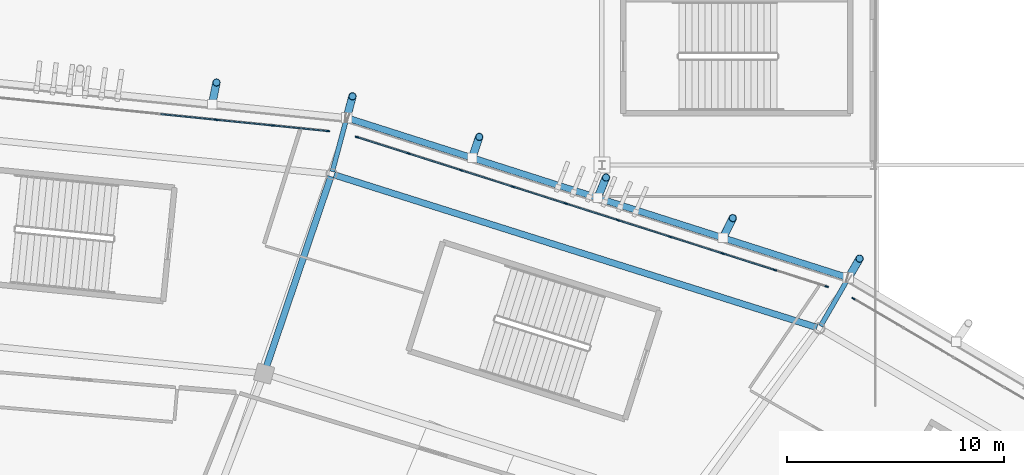
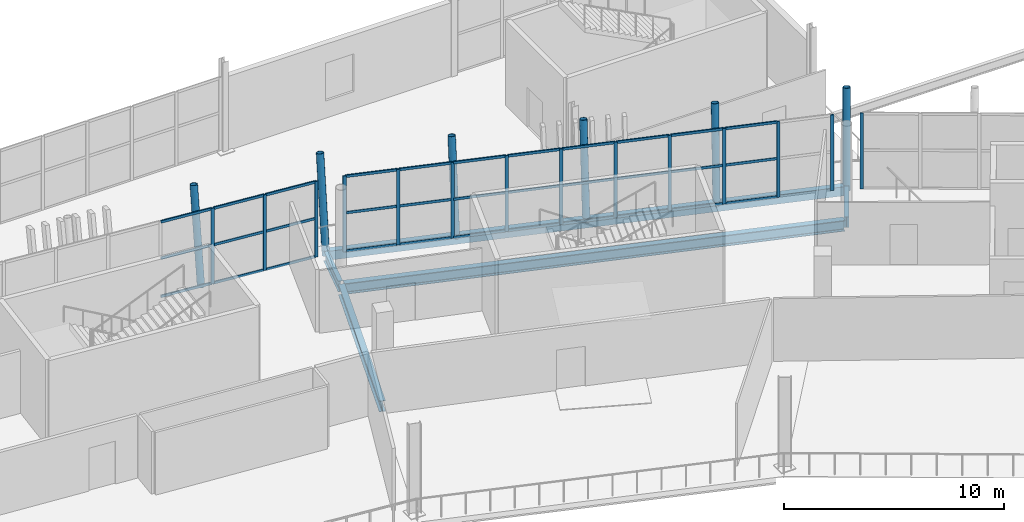
# One storey, part 83 of 179: 53 members, 5 beams, 3 elements without a shape of their own.
"""IFC4 building model written with IfcOpenShell, lengths in metres."""

from ifc_helpers import new_model, si_unit, direction, frame, origin, origin_2d, place, context, subcontext, project, spatial, rectangle, hollow_rectangle, hollow_circle, i_section, extrude, material, material_profile, profile_set, type_object, element, aggregate, save


model = new_model("IFC4")

# Units and contexts
model_context = context("Model", 3, precision=1e-05, world=origin(), true_north=direction((0.0, 1.0)))
body_context = subcontext(model_context, "Body", "Model", "MODEL_VIEW")
ifc_project = project(units=[si_unit("LENGTHUNIT", "METRE"), si_unit("AREAUNIT", "SQUARE_METRE"), si_unit("VOLUMEUNIT", "CUBIC_METRE"), si_unit("PLANEANGLEUNIT", "RADIAN"), si_unit("MASSUNIT", "GRAM", prefix="KILO")], contexts=[model_context])

# Site, building, storey
site_placement = place(None, origin())
site = spatial("IfcSite", under=ifc_project, at=site_placement, CompositionType="ELEMENT")
building_placement = place(site_placement, origin())
building = spatial("IfcBuilding", under=site, at=building_placement, Name="Zlatoyarsky Gate Stadium", CompositionType="ELEMENT")
storey_placement = place(building_placement, frame((0.0, 0.0, 10.60009765625)))
storey = spatial("IfcBuildingStorey", under=building, at=storey_placement, Name="L02", CompositionType="ELEMENT", Elevation=10.60009765625)

# Curtain wall, member
ifc_material_1 = material(Name="Thermally broken anodised aluminium curtain wall", Category="aluminium")
curtain_wall_type = type_object("IfcCurtainWallType", Name="UNITISED HOSPITALITY GLAZING L02", PredefinedType="USERDEFINED", material=ifc_material_1)
curtain_wall_1_placement = place(storey_placement, origin())
curtain_wall_1 = element("IfcCurtainWall", 1, at=curtain_wall_1_placement, inside=storey, type_object=curtain_wall_type, Name="Curtain wall CW-L02-03", ObjectType="UNITISED GLAZING", PredefinedType="USERDEFINED")
ifc_material_2 = material(Name="Anodised aluminium 6063-T6", Category="aluminium")
ifc_material_profile_1 = material_profile(ifc_material_2, rectangle(XDim=0.06494140625, YDim=0.159912109375, at=origin_2d()), Name="ALU 65X160")
ifc_profile_set_1 = profile_set([ifc_material_profile_1], Name="Anodised aluminium 6063-T6")
member_type_1 = type_object("IfcMemberType", Name="ALUMINIUM MULLION 65X160", PredefinedType="MULLION", material=ifc_profile_set_1)
member_1_placement = place(storey_placement, frame((159.075927734375, 142.852294921875, 0.0), z_axis=(0.0, 0.0, 1.0), x_axis=(-0.507884392586, -0.861425239802, 0.0)))
member_1 = element("IfcMember", 2, at=member_1_placement, type_object=member_type_1, Name="CW-UG2 mullion 9", PredefinedType="MULLION", context=body_context, shape_type="SweptSolid", body=[
    extrude(rectangle(XDim=0.06494140625, YDim=0.159912109375, at=origin_2d()), origin(), (0.0, 0.0, 1.0), 4.199951171875),
])
aggregate(curtain_wall_1, [member_1])

# Curtain wall, members
curtain_wall_2_placement = place(storey_placement, origin())
curtain_wall_2 = element("IfcCurtainWall", 3, at=curtain_wall_2_placement, inside=storey, type_object=curtain_wall_type, Name="Curtain wall CW-L02-04", ObjectType="UNITISED GLAZING", PredefinedType="USERDEFINED")
member_2_placement = place(storey_placement, frame((157.837646484375, 143.406005859375, 0.0), z_axis=(0.0, 0.0, 1.0), x_axis=(-0.303278080998, -0.952902096538, 0.0)))
member_2 = element("IfcMember", 4, at=member_2_placement, type_object=member_type_1, Name="CW-UG2 mullion 1", PredefinedType="MULLION", context=body_context, shape_type="SweptSolid", body=[
    extrude(rectangle(XDim=0.06494140625, YDim=0.159912109375, at=origin_2d()), origin(), (0.0, 0.0, 1.0), 4.199951171875),
])
member_3_placement = place(storey_placement, frame((155.461181640625, 144.162353515625, 0.0), z_axis=(0.0, 0.0, 1.0), x_axis=(-0.303278080998, -0.952902096538, 0.0)))
member_3 = element("IfcMember", 5, at=member_3_placement, type_object=member_type_1, Name="CW-UG2 mullion 2", PredefinedType="MULLION", context=body_context, shape_type="SweptSolid", body=[
    extrude(rectangle(XDim=0.06494140625, YDim=0.159912109375, at=origin_2d()), origin(), (0.0, 0.0, 1.0), 4.199951171875),
])
member_4_placement = place(storey_placement, frame((153.053466796875, 144.928466796875, 0.0), z_axis=(0.0, 0.0, 1.0), x_axis=(-0.303278080998, -0.952902096538, 0.0)))
member_4 = element("IfcMember", 6, at=member_4_placement, type_object=member_type_1, Name="CW-UG2 mullion 3", PredefinedType="MULLION", context=body_context, shape_type="SweptSolid", body=[
    extrude(rectangle(XDim=0.06494140625, YDim=0.159912109375, at=origin_2d()), origin(), (0.0, 0.0, 1.0), 4.199951171875),
])
member_5_placement = place(storey_placement, frame((150.64599609375, 145.69482421875, 0.0), z_axis=(0.0, 0.0, 1.0), x_axis=(-0.303278080998, -0.952902096538, 0.0)))
member_5 = element("IfcMember", 7, at=member_5_placement, type_object=member_type_1, Name="CW-UG2 mullion 4", PredefinedType="MULLION", context=body_context, shape_type="SweptSolid", body=[
    extrude(rectangle(XDim=0.06494140625, YDim=0.159912109375, at=origin_2d()), origin(), (0.0, 0.0, 1.0), 4.199951171875),
])
member_6_placement = place(storey_placement, frame((148.238525390625, 146.4609375, 0.0), z_axis=(0.0, 0.0, 1.0), x_axis=(-0.303278080998, -0.952902096538, 0.0)))
member_6 = element("IfcMember", 8, at=member_6_placement, type_object=member_type_1, Name="CW-UG2 mullion 5", PredefinedType="MULLION", context=body_context, shape_type="SweptSolid", body=[
    extrude(rectangle(XDim=0.06494140625, YDim=0.159912109375, at=origin_2d()), origin(), (0.0, 0.0, 1.0), 4.199951171875),
])
member_7_placement = place(storey_placement, frame((145.8310546875, 147.227294921875, 0.0), z_axis=(0.0, 0.0, 1.0), x_axis=(-0.303278080998, -0.952902096538, 0.0)))
member_7 = element("IfcMember", 9, at=member_7_placement, type_object=member_type_1, Name="CW-UG2 mullion 6", PredefinedType="MULLION", context=body_context, shape_type="SweptSolid", body=[
    extrude(rectangle(XDim=0.06494140625, YDim=0.159912109375, at=origin_2d()), origin(), (0.0, 0.0, 1.0), 4.199951171875),
])
member_8_placement = place(storey_placement, frame((143.423583984375, 147.993408203125, 0.0), z_axis=(0.0, 0.0, 1.0), x_axis=(-0.303278080998, -0.952902096538, 0.0)))
member_8 = element("IfcMember", 10, at=member_8_placement, type_object=member_type_1, Name="CW-UG2 mullion 7", PredefinedType="MULLION", context=body_context, shape_type="SweptSolid", body=[
    extrude(rectangle(XDim=0.06494140625, YDim=0.159912109375, at=origin_2d()), origin(), (0.0, 0.0, 1.0), 4.199951171875),
])
member_9_placement = place(storey_placement, frame((141.01611328125, 148.759765625, 0.0), z_axis=(0.0, 0.0, 1.0), x_axis=(-0.303278080998, -0.952902096538, 0.0)))
member_9 = element("IfcMember", 11, at=member_9_placement, type_object=member_type_1, Name="CW-UG2 mullion 8", PredefinedType="MULLION", context=body_context, shape_type="SweptSolid", body=[
    extrude(rectangle(XDim=0.06494140625, YDim=0.159912109375, at=origin_2d()), origin(), (0.0, 0.0, 1.0), 4.199951171875),
])
member_10_placement = place(storey_placement, frame((138.6083984375, 149.52587890625, 0.0), z_axis=(0.0, 0.0, 1.0), x_axis=(-0.303278080998, -0.952902096538, 0.0)))
member_10 = element("IfcMember", 12, at=member_10_placement, type_object=member_type_1, Name="CW-UG2 mullion 9", PredefinedType="MULLION", context=body_context, shape_type="SweptSolid", body=[
    extrude(rectangle(XDim=0.06494140625, YDim=0.159912109375, at=origin_2d()), origin(), (0.0, 0.0, 1.0), 4.199951171875),
])
member_11_placement = place(storey_placement, frame((136.23193359375, 150.2822265625, 0.0), z_axis=(0.0, 0.0, 1.0), x_axis=(-0.303278080998, -0.952902096538, 0.0)))
member_11 = element("IfcMember", 13, at=member_11_placement, type_object=member_type_1, Name="CW-UG2 mullion 10", PredefinedType="MULLION", context=body_context, shape_type="SweptSolid", body=[
    extrude(rectangle(XDim=0.06494140625, YDim=0.159912109375, at=origin_2d()), origin(), (0.0, 0.0, 1.0), 4.199951171875),
])

curtain_wall_3_placement = place(storey_placement, origin())
curtain_wall_3 = element("IfcCurtainWall", 14, at=curtain_wall_3_placement, inside=storey, type_object=curtain_wall_type, Name="Curtain wall CW-L02-05", ObjectType="UNITISED GLAZING", PredefinedType="USERDEFINED")
member_12_placement = place(storey_placement, frame((134.902587890625, 150.557861328125, 0.0), z_axis=(0.0, 0.0, 1.0), x_axis=(-0.100644885375, -0.994922412577, 0.0)))
member_12 = element("IfcMember", 15, at=member_12_placement, type_object=member_type_1, Name="CW-UG2 mullion 1", PredefinedType="MULLION", context=body_context, shape_type="SweptSolid", body=[
    extrude(rectangle(XDim=0.06494140625, YDim=0.159912109375, at=origin_2d()), origin(), (0.0, 0.0, 1.0), 4.199951171875),
])
member_13_placement = place(storey_placement, frame((132.347412109375, 150.81640625, 0.0), z_axis=(0.0, 0.0, 1.0), x_axis=(-0.100644885375, -0.994922412577, 0.0)))
member_13 = element("IfcMember", 16, at=member_13_placement, type_object=member_type_1, Name="CW-UG2 mullion 2", PredefinedType="MULLION", context=body_context, shape_type="SweptSolid", body=[
    extrude(rectangle(XDim=0.06494140625, YDim=0.159912109375, at=origin_2d()), origin(), (0.0, 0.0, 1.0), 4.199951171875),
])
member_14_placement = place(storey_placement, frame((129.759765625, 151.078125, 0.0), z_axis=(0.0, 0.0, 1.0), x_axis=(-0.100644885375, -0.994922412577, 0.0)))
member_14 = element("IfcMember", 17, at=member_14_placement, type_object=member_type_1, Name="CW-UG2 mullion 3", PredefinedType="MULLION", context=body_context, shape_type="SweptSolid", body=[
    extrude(rectangle(XDim=0.06494140625, YDim=0.159912109375, at=origin_2d()), origin(), (0.0, 0.0, 1.0), 4.199951171875),
])

# Member
ifc_material_profile_2 = material_profile(ifc_material_2, rectangle(XDim=0.06494140625, YDim=0.139892578125, at=origin_2d()), Name="ALU 65X140")
ifc_profile_set_2 = profile_set([ifc_material_profile_2], Name="Anodised aluminium 6063-T6")
member_type_2 = type_object("IfcMemberType", Name="ALUMINIUM TRANSOM 65X140", PredefinedType="USERDEFINED", material=ifc_profile_set_2)
member_15_placement = place(storey_placement, frame((155.43017578125, 144.172119140625, 0.032470703125), z_axis=(-0.952899726058, 0.303285528964, 0.0), x_axis=(-0.303285528964, -0.952899726058, 0.0)))
member_15 = element("IfcMember", 18, at=member_15_placement, type_object=member_type_2, Name="CW-UG2 transom 2.1", ObjectType="TRANSOM", PredefinedType="USERDEFINED", context=body_context, shape_type="SweptSolid", body=[
    extrude(rectangle(XDim=0.06494140625, YDim=0.139892578125, at=origin_2d()), origin(), (0.0, 0.0, 1.0), 2.461669921875),
])

member_16_placement = place(storey_placement, frame((155.43017578125, 144.172119140625, 2.14990234375), z_axis=(-0.952899726058, 0.303285528964, 0.0), x_axis=(-0.303285528964, -0.952899726058, 0.0)))
member_16 = element("IfcMember", 19, at=member_16_placement, type_object=member_type_2, Name="CW-UG2 transom 2.2", ObjectType="TRANSOM", PredefinedType="USERDEFINED", context=body_context, shape_type="SweptSolid", body=[
    extrude(rectangle(XDim=0.06494140625, YDim=0.139892578125, at=origin_2d()), origin(), (0.0, 0.0, 1.0), 2.461669921875),
])

member_17_placement = place(storey_placement, frame((155.43017578125, 144.172119140625, 4.16748046875), z_axis=(-0.952899726058, 0.303285528964, 0.0), x_axis=(-0.303285528964, -0.952899726058, 0.0)))
member_17 = element("IfcMember", 20, at=member_17_placement, type_object=member_type_2, Name="CW-UG2 transom 2.3", ObjectType="TRANSOM", PredefinedType="USERDEFINED", context=body_context, shape_type="SweptSolid", body=[
    extrude(rectangle(XDim=0.06494140625, YDim=0.139892578125, at=origin_2d()), origin(), (0.0, 0.0, 1.0), 2.461669921875),
])

member_18_placement = place(storey_placement, frame((153.022705078125, 144.9384765625, 0.032470703125), z_axis=(-0.952899726058, 0.303285528964, 0.0), x_axis=(-0.303285528964, -0.952899726058, 0.0)))
member_18 = element("IfcMember", 21, at=member_18_placement, type_object=member_type_2, Name="CW-UG2 transom 3.1", ObjectType="TRANSOM", PredefinedType="USERDEFINED", context=body_context, shape_type="SweptSolid", body=[
    extrude(rectangle(XDim=0.06494140625, YDim=0.139892578125, at=origin_2d()), origin(), (0.0, 0.0, 1.0), 2.461669921875),
])

member_19_placement = place(storey_placement, frame((153.022705078125, 144.9384765625, 2.14990234375), z_axis=(-0.952899726058, 0.303285528964, 0.0), x_axis=(-0.303285528964, -0.952899726058, 0.0)))
member_19 = element("IfcMember", 22, at=member_19_placement, type_object=member_type_2, Name="CW-UG2 transom 3.2", ObjectType="TRANSOM", PredefinedType="USERDEFINED", context=body_context, shape_type="SweptSolid", body=[
    extrude(rectangle(XDim=0.06494140625, YDim=0.139892578125, at=origin_2d()), origin(), (0.0, 0.0, 1.0), 2.461669921875),
])

member_20_placement = place(storey_placement, frame((153.022705078125, 144.9384765625, 4.16748046875), z_axis=(-0.952899726058, 0.303285528964, 0.0), x_axis=(-0.303285528964, -0.952899726058, 0.0)))
member_20 = element("IfcMember", 23, at=member_20_placement, type_object=member_type_2, Name="CW-UG2 transom 3.3", ObjectType="TRANSOM", PredefinedType="USERDEFINED", context=body_context, shape_type="SweptSolid", body=[
    extrude(rectangle(XDim=0.06494140625, YDim=0.139892578125, at=origin_2d()), origin(), (0.0, 0.0, 1.0), 2.461669921875),
])

member_21_placement = place(storey_placement, frame((150.614990234375, 145.70458984375, 0.032470703125), z_axis=(-0.952890602186, 0.303314193972, 0.0), x_axis=(-0.303314193972, -0.952890602186, 0.0)))
member_21 = element("IfcMember", 24, at=member_21_placement, type_object=member_type_2, Name="CW-UG2 transom 4.1", ObjectType="TRANSOM", PredefinedType="USERDEFINED", context=body_context, shape_type="SweptSolid", body=[
    extrude(rectangle(XDim=0.06494140625, YDim=0.139892578125, at=origin_2d()), origin(), (0.0, 0.0, 1.0), 2.46142578125),
])

member_22_placement = place(storey_placement, frame((150.614990234375, 145.70458984375, 2.14990234375), z_axis=(-0.952890602186, 0.303314193972, 0.0), x_axis=(-0.303314193972, -0.952890602186, 0.0)))
member_22 = element("IfcMember", 25, at=member_22_placement, type_object=member_type_2, Name="CW-UG2 transom 4.2", ObjectType="TRANSOM", PredefinedType="USERDEFINED", context=body_context, shape_type="SweptSolid", body=[
    extrude(rectangle(XDim=0.06494140625, YDim=0.139892578125, at=origin_2d()), origin(), (0.0, 0.0, 1.0), 2.46142578125),
])

member_23_placement = place(storey_placement, frame((150.614990234375, 145.70458984375, 4.16748046875), z_axis=(-0.952890602186, 0.303314193972, 0.0), x_axis=(-0.303314193972, -0.952890602186, 0.0)))
member_23 = element("IfcMember", 26, at=member_23_placement, type_object=member_type_2, Name="CW-UG2 transom 4.3", ObjectType="TRANSOM", PredefinedType="USERDEFINED", context=body_context, shape_type="SweptSolid", body=[
    extrude(rectangle(XDim=0.06494140625, YDim=0.139892578125, at=origin_2d()), origin(), (0.0, 0.0, 1.0), 2.46142578125),
])

member_24_placement = place(storey_placement, frame((148.20751953125, 146.470947265625, 0.032470703125), z_axis=(-0.952890602186, 0.303314193972, 0.0), x_axis=(-0.303314193972, -0.952890602186, 0.0)))
member_24 = element("IfcMember", 27, at=member_24_placement, type_object=member_type_2, Name="CW-UG2 transom 5.1", ObjectType="TRANSOM", PredefinedType="USERDEFINED", context=body_context, shape_type="SweptSolid", body=[
    extrude(rectangle(XDim=0.06494140625, YDim=0.139892578125, at=origin_2d()), origin(), (0.0, 0.0, 1.0), 2.46142578125),
])

member_25_placement = place(storey_placement, frame((148.20751953125, 146.470947265625, 2.14990234375), z_axis=(-0.952890602186, 0.303314193972, 0.0), x_axis=(-0.303314193972, -0.952890602186, 0.0)))
member_25 = element("IfcMember", 28, at=member_25_placement, type_object=member_type_2, Name="CW-UG2 transom 5.2", ObjectType="TRANSOM", PredefinedType="USERDEFINED", context=body_context, shape_type="SweptSolid", body=[
    extrude(rectangle(XDim=0.06494140625, YDim=0.139892578125, at=origin_2d()), origin(), (0.0, 0.0, 1.0), 2.46142578125),
])

member_26_placement = place(storey_placement, frame((148.20751953125, 146.470947265625, 4.16748046875), z_axis=(-0.952890602186, 0.303314193972, 0.0), x_axis=(-0.303314193972, -0.952890602186, 0.0)))
member_26 = element("IfcMember", 29, at=member_26_placement, type_object=member_type_2, Name="CW-UG2 transom 5.3", ObjectType="TRANSOM", PredefinedType="USERDEFINED", context=body_context, shape_type="SweptSolid", body=[
    extrude(rectangle(XDim=0.06494140625, YDim=0.139892578125, at=origin_2d()), origin(), (0.0, 0.0, 1.0), 2.46142578125),
])

member_27_placement = place(storey_placement, frame((145.800048828125, 147.237060546875, 0.032470703125), z_axis=(-0.952890602186, 0.303314193972, 0.0), x_axis=(-0.303314193972, -0.952890602186, 0.0)))
member_27 = element("IfcMember", 30, at=member_27_placement, type_object=member_type_2, Name="CW-UG2 transom 6.1", ObjectType="TRANSOM", PredefinedType="USERDEFINED", context=body_context, shape_type="SweptSolid", body=[
    extrude(rectangle(XDim=0.06494140625, YDim=0.139892578125, at=origin_2d()), origin(), (0.0, 0.0, 1.0), 2.46142578125),
])

member_28_placement = place(storey_placement, frame((145.800048828125, 147.237060546875, 2.14990234375), z_axis=(-0.952890602186, 0.303314193972, 0.0), x_axis=(-0.303314193972, -0.952890602186, 0.0)))
member_28 = element("IfcMember", 31, at=member_28_placement, type_object=member_type_2, Name="CW-UG2 transom 6.2", ObjectType="TRANSOM", PredefinedType="USERDEFINED", context=body_context, shape_type="SweptSolid", body=[
    extrude(rectangle(XDim=0.06494140625, YDim=0.139892578125, at=origin_2d()), origin(), (0.0, 0.0, 1.0), 2.46142578125),
])

member_29_placement = place(storey_placement, frame((145.800048828125, 147.237060546875, 4.16748046875), z_axis=(-0.952890602186, 0.303314193972, 0.0), x_axis=(-0.303314193972, -0.952890602186, 0.0)))
member_29 = element("IfcMember", 32, at=member_29_placement, type_object=member_type_2, Name="CW-UG2 transom 6.3", ObjectType="TRANSOM", PredefinedType="USERDEFINED", context=body_context, shape_type="SweptSolid", body=[
    extrude(rectangle(XDim=0.06494140625, YDim=0.139892578125, at=origin_2d()), origin(), (0.0, 0.0, 1.0), 2.46142578125),
])

member_30_placement = place(storey_placement, frame((143.392578125, 148.00341796875, 0.032470703125), z_axis=(-0.9529283851, 0.303195469739, 0.0), x_axis=(-0.303195469739, -0.9529283851, 0.0)))
member_30 = element("IfcMember", 33, at=member_30_placement, type_object=member_type_2, Name="CW-UG2 transom 7.1", ObjectType="TRANSOM", PredefinedType="USERDEFINED", context=body_context, shape_type="SweptSolid", body=[
    extrude(rectangle(XDim=0.06494140625, YDim=0.139892578125, at=origin_2d()), origin(), (0.0, 0.0, 1.0), 2.461669921875),
])

member_31_placement = place(storey_placement, frame((143.392578125, 148.00341796875, 2.14990234375), z_axis=(-0.9529283851, 0.303195469739, 0.0), x_axis=(-0.303195469739, -0.9529283851, 0.0)))
member_31 = element("IfcMember", 34, at=member_31_placement, type_object=member_type_2, Name="CW-UG2 transom 7.2", ObjectType="TRANSOM", PredefinedType="USERDEFINED", context=body_context, shape_type="SweptSolid", body=[
    extrude(rectangle(XDim=0.06494140625, YDim=0.139892578125, at=origin_2d()), origin(), (0.0, 0.0, 1.0), 2.461669921875),
])

member_32_placement = place(storey_placement, frame((143.392578125, 148.00341796875, 4.16748046875), z_axis=(-0.9529283851, 0.303195469739, 0.0), x_axis=(-0.303195469739, -0.9529283851, 0.0)))
member_32 = element("IfcMember", 35, at=member_32_placement, type_object=member_type_2, Name="CW-UG2 transom 7.3", ObjectType="TRANSOM", PredefinedType="USERDEFINED", context=body_context, shape_type="SweptSolid", body=[
    extrude(rectangle(XDim=0.06494140625, YDim=0.139892578125, at=origin_2d()), origin(), (0.0, 0.0, 1.0), 2.461669921875),
])

member_33_placement = place(storey_placement, frame((140.985107421875, 148.76953125, 0.032470703125), z_axis=(-0.952899726058, 0.303285528964, 0.0), x_axis=(-0.303285528964, -0.952899726058, 0.0)))
member_33 = element("IfcMember", 36, at=member_33_placement, type_object=member_type_2, Name="CW-UG2 transom 8.1", ObjectType="TRANSOM", PredefinedType="USERDEFINED", context=body_context, shape_type="SweptSolid", body=[
    extrude(rectangle(XDim=0.06494140625, YDim=0.139892578125, at=origin_2d()), origin(), (0.0, 0.0, 1.0), 2.461669921875),
])

member_34_placement = place(storey_placement, frame((140.985107421875, 148.76953125, 2.14990234375), z_axis=(-0.952899726058, 0.303285528964, 0.0), x_axis=(-0.303285528964, -0.952899726058, 0.0)))
member_34 = element("IfcMember", 37, at=member_34_placement, type_object=member_type_2, Name="CW-UG2 transom 8.2", ObjectType="TRANSOM", PredefinedType="USERDEFINED", context=body_context, shape_type="SweptSolid", body=[
    extrude(rectangle(XDim=0.06494140625, YDim=0.139892578125, at=origin_2d()), origin(), (0.0, 0.0, 1.0), 2.461669921875),
])

member_35_placement = place(storey_placement, frame((140.985107421875, 148.76953125, 4.16748046875), z_axis=(-0.952899726058, 0.303285528964, 0.0), x_axis=(-0.303285528964, -0.952899726058, 0.0)))
member_35 = element("IfcMember", 38, at=member_35_placement, type_object=member_type_2, Name="CW-UG2 transom 8.3", ObjectType="TRANSOM", PredefinedType="USERDEFINED", context=body_context, shape_type="SweptSolid", body=[
    extrude(rectangle(XDim=0.06494140625, YDim=0.139892578125, at=origin_2d()), origin(), (0.0, 0.0, 1.0), 2.461669921875),
])

member_36_placement = place(storey_placement, frame((138.57763671875, 149.535888671875, 0.032470703125), z_axis=(-0.952916539621, 0.303232696977, 0.0), x_axis=(-0.303232696977, -0.952916539621, 0.0)))
member_36 = element("IfcMember", 39, at=member_36_placement, type_object=member_type_2, Name="CW-UG2 transom 9.1", ObjectType="TRANSOM", PredefinedType="USERDEFINED", context=body_context, shape_type="SweptSolid", body=[
    extrude(rectangle(XDim=0.06494140625, YDim=0.139892578125, at=origin_2d()), origin(), (0.0, 0.0, 1.0), 2.428955078125),
])

member_37_placement = place(storey_placement, frame((138.57763671875, 149.535888671875, 2.14990234375), z_axis=(-0.952916539621, 0.303232696977, 0.0), x_axis=(-0.303232696977, -0.952916539621, 0.0)))
member_37 = element("IfcMember", 40, at=member_37_placement, type_object=member_type_2, Name="CW-UG2 transom 9.2", ObjectType="TRANSOM", PredefinedType="USERDEFINED", context=body_context, shape_type="SweptSolid", body=[
    extrude(rectangle(XDim=0.06494140625, YDim=0.139892578125, at=origin_2d()), origin(), (0.0, 0.0, 1.0), 2.428955078125),
])

member_38_placement = place(storey_placement, frame((138.57763671875, 149.535888671875, 4.16748046875), z_axis=(-0.952916539621, 0.303232696977, 0.0), x_axis=(-0.303232696977, -0.952916539621, 0.0)))
member_38 = element("IfcMember", 41, at=member_38_placement, type_object=member_type_2, Name="CW-UG2 transom 9.3", ObjectType="TRANSOM", PredefinedType="USERDEFINED", context=body_context, shape_type="SweptSolid", body=[
    extrude(rectangle(XDim=0.06494140625, YDim=0.139892578125, at=origin_2d()), origin(), (0.0, 0.0, 1.0), 2.428955078125),
])

aggregate(curtain_wall_2, [member_2, member_3, member_4, member_5, member_6, member_7, member_8, member_9, member_10, member_11, member_15, member_16, member_17, member_18, member_19, member_20, member_21, member_22, member_23, member_24, member_25, member_26, member_27, member_28, member_29, member_30, member_31, member_32, member_33, member_34, member_35, member_36, member_37, member_38])

member_39_placement = place(storey_placement, frame((134.8701171875, 150.561279296875, 0.032470703125), z_axis=(-0.994921612986, 0.100652789393, 0.0), x_axis=(-0.100652789393, -0.994921612986, 0.0)))
member_39 = element("IfcMember", 42, at=member_39_placement, type_object=member_type_2, Name="CW-UG2 transom 1.1", ObjectType="TRANSOM", PredefinedType="USERDEFINED", context=body_context, shape_type="SweptSolid", body=[
    extrude(rectangle(XDim=0.06494140625, YDim=0.139892578125, at=origin_2d()), origin(), (0.0, 0.0, 1.0), 2.503173828125),
])

member_40_placement = place(storey_placement, frame((134.8701171875, 150.561279296875, 2.14990234375), z_axis=(-0.994921612986, 0.100652789393, 0.0), x_axis=(-0.100652789393, -0.994921612986, 0.0)))
member_40 = element("IfcMember", 43, at=member_40_placement, type_object=member_type_2, Name="CW-UG2 transom 1.2", ObjectType="TRANSOM", PredefinedType="USERDEFINED", context=body_context, shape_type="SweptSolid", body=[
    extrude(rectangle(XDim=0.06494140625, YDim=0.139892578125, at=origin_2d()), origin(), (0.0, 0.0, 1.0), 2.503173828125),
])

member_41_placement = place(storey_placement, frame((134.8701171875, 150.561279296875, 4.16748046875), z_axis=(-0.994921612986, 0.100652789393, 0.0), x_axis=(-0.100652789393, -0.994921612986, 0.0)))
member_41 = element("IfcMember", 44, at=member_41_placement, type_object=member_type_2, Name="CW-UG2 transom 1.3", ObjectType="TRANSOM", PredefinedType="USERDEFINED", context=body_context, shape_type="SweptSolid", body=[
    extrude(rectangle(XDim=0.06494140625, YDim=0.139892578125, at=origin_2d()), origin(), (0.0, 0.0, 1.0), 2.503173828125),
])

member_42_placement = place(storey_placement, frame((132.31494140625, 150.81982421875, 0.032470703125), z_axis=(-0.994926000307, 0.10060941265, 0.0), x_axis=(-0.10060941265, -0.994926000307, 0.0)))
member_42 = element("IfcMember", 45, at=member_42_placement, type_object=member_type_2, Name="CW-UG2 transom 2.1", ObjectType="TRANSOM", PredefinedType="USERDEFINED", context=body_context, shape_type="SweptSolid", body=[
    extrude(rectangle(XDim=0.06494140625, YDim=0.139892578125, at=origin_2d()), origin(), (0.0, 0.0, 1.0), 2.535888671875),
])

member_43_placement = place(storey_placement, frame((132.31494140625, 150.81982421875, 2.14990234375), z_axis=(-0.994926000307, 0.10060941265, 0.0), x_axis=(-0.10060941265, -0.994926000307, 0.0)))
member_43 = element("IfcMember", 46, at=member_43_placement, type_object=member_type_2, Name="CW-UG2 transom 2.2", ObjectType="TRANSOM", PredefinedType="USERDEFINED", context=body_context, shape_type="SweptSolid", body=[
    extrude(rectangle(XDim=0.06494140625, YDim=0.139892578125, at=origin_2d()), origin(), (0.0, 0.0, 1.0), 2.535888671875),
])

member_44_placement = place(storey_placement, frame((132.31494140625, 150.81982421875, 4.16748046875), z_axis=(-0.994926000307, 0.10060941265, 0.0), x_axis=(-0.10060941265, -0.994926000307, 0.0)))
member_44 = element("IfcMember", 47, at=member_44_placement, type_object=member_type_2, Name="CW-UG2 transom 2.3", ObjectType="TRANSOM", PredefinedType="USERDEFINED", context=body_context, shape_type="SweptSolid", body=[
    extrude(rectangle(XDim=0.06494140625, YDim=0.139892578125, at=origin_2d()), origin(), (0.0, 0.0, 1.0), 2.535888671875),
])

member_45_placement = place(storey_placement, frame((129.727294921875, 151.08154296875, 0.032470703125), z_axis=(-0.994925025627, 0.100619050787, 0.0), x_axis=(-0.100619050787, -0.994925025627, 0.0)))
member_45 = element("IfcMember", 48, at=member_45_placement, type_object=member_type_2, Name="CW-UG2 transom 3.1", ObjectType="TRANSOM", PredefinedType="USERDEFINED", context=body_context, shape_type="SweptSolid", body=[
    extrude(rectangle(XDim=0.06494140625, YDim=0.139892578125, at=origin_2d()), origin(), (0.0, 0.0, 1.0), 2.53564453125),
])

member_46_placement = place(storey_placement, frame((129.727294921875, 151.08154296875, 2.14990234375), z_axis=(-0.994925025627, 0.100619050787, 0.0), x_axis=(-0.100619050787, -0.994925025627, 0.0)))
member_46 = element("IfcMember", 49, at=member_46_placement, type_object=member_type_2, Name="CW-UG2 transom 3.2", ObjectType="TRANSOM", PredefinedType="USERDEFINED", context=body_context, shape_type="SweptSolid", body=[
    extrude(rectangle(XDim=0.06494140625, YDim=0.139892578125, at=origin_2d()), origin(), (0.0, 0.0, 1.0), 2.53564453125),
])

member_47_placement = place(storey_placement, frame((129.727294921875, 151.08154296875, 4.16748046875), z_axis=(-0.994925025627, 0.100619050787, 0.0), x_axis=(-0.100619050787, -0.994925025627, 0.0)))
member_47 = element("IfcMember", 50, at=member_47_placement, type_object=member_type_2, Name="CW-UG2 transom 3.3", ObjectType="TRANSOM", PredefinedType="USERDEFINED", context=body_context, shape_type="SweptSolid", body=[
    extrude(rectangle(XDim=0.06494140625, YDim=0.139892578125, at=origin_2d()), origin(), (0.0, 0.0, 1.0), 2.53564453125),
])

aggregate(curtain_wall_3, [member_12, member_13, member_14, member_39, member_40, member_41, member_42, member_43, member_44, member_45, member_46, member_47])

# Beams
ifc_material_3 = material(Name="Steel S355", Category="steel")
ifc_material_profile_3 = material_profile(ifc_material_3, i_section(OverallWidth=0.219970703125, OverallDepth=0.60009765625, WebThickness=0.011962890625, FlangeThickness=0.01904296875, FilletRadius=0.02392578125, at=origin_2d()), Name="IPE 600")
ifc_profile_set_3 = profile_set([ifc_material_profile_3], Name="Steel S355")
beam_type_1 = type_object("IfcBeamType", Name="STEEL CANTILEVER FLOOR BEAM IPE 600", PredefinedType="BEAM", material=ifc_profile_set_3)
beam_1_placement = place(storey_placement, frame((157.56005859375, 141.591796875, -0.580078125), z_axis=(0.499981548585, 0.866036056452, 0.0), x_axis=(-0.866036056452, 0.499981548585, 0.0)))
element("IfcBeam", 51, at=beam_1_placement, inside=storey, type_object=beam_type_1, Name="Beam B-IPE600 BM-L02-OUT-04", PredefinedType="BEAM", context=body_context, shape_type="SweptSolid", body=[
    extrude(i_section(OverallWidth=0.219970703125, OverallDepth=0.60009765625, WebThickness=0.011962890625, FlangeThickness=0.01904296875, FilletRadius=0.02392578125, at=origin_2d()), origin(), (0.0, 0.0, 1.0), 2.5556640625),
])
beam_2_placement = place(storey_placement, frame((135.101318359375, 148.696533203125, -0.580078125), z_axis=(0.258750408198, 0.965944214879, 0.0), x_axis=(-0.965944214879, 0.258750408198, 0.0)))
element("IfcBeam", 52, at=beam_2_placement, inside=storey, type_object=beam_type_1, Name="Beam B-IPE600 BM-L02-OUT-05", PredefinedType="BEAM", context=body_context, shape_type="SweptSolid", body=[
    extrude(i_section(OverallWidth=0.219970703125, OverallDepth=0.60009765625, WebThickness=0.011962890625, FlangeThickness=0.01904296875, FilletRadius=0.02392578125, at=origin_2d()), origin(), (0.0, 0.0, 1.0), 2.55615234375),
])

# Members
ifc_material_profile_4 = material_profile(ifc_material_3, hollow_circle(Radius=0.177734375, WallThickness=0.02001953125, at=origin_2d()), Name="CHS 355.6X20")
ifc_profile_set_4 = profile_set([ifc_material_profile_4], Name="Steel S355")
member_type_3 = type_object("IfcMemberType", Name="STEEL LEANING RIB RING STRUT CHS 355.6X20", PredefinedType="STRUT", material=ifc_profile_set_4)
for number, where, z_axis, x_axis, name in (
    (53, (158.837890625, 143.80517578125, -0.580078125), (0.100540139669, 0.174151593024, 0.97957281657), (-0.866039032844, 0.499976393034, 0.0), "Leaning ring strut 04 L02 to L03"),
    (54, (135.7626953125, 151.16552734375, -0.580078125), (0.052040278596, 0.194194421968, 0.979581714754), (-0.96591831511, 0.258847075576, 0.0), "Leaning ring strut 05 L02 to L03"),
):
    element("IfcMember", number, at=place(storey_placement, frame(where, z_axis=z_axis, x_axis=x_axis)), inside=storey, type_object=member_type_3, Name=name, PredefinedType="STRUT", context=body_context, shape_type="SweptSolid", body=[
        extrude(hollow_circle(Radius=0.177734375, WallThickness=0.02001953125, at=origin_2d()), origin(), (0.0, 0.0, 1.0), 5.104248046875),
    ])
member_48_placement = place(storey_placement, frame((153.069091796875, 145.645263671875, -0.530029296875), z_axis=(0.088461637848, 0.179219737902, 0.979823874059), x_axis=(-0.896713419894, 0.442611615959, 0.0)))
element("IfcMember", 55, at=member_48_placement, inside=storey, type_object=member_type_3, Name="Outward-leaning bowl louvre fin rib L02 04-1", PredefinedType="STRUT", context=body_context, shape_type="SweptSolid", body=[
    extrude(hollow_circle(Radius=0.177734375, WallThickness=0.02001953125, at=origin_2d()), origin(), (0.0, 0.0, 1.0), 5.10302734375),
])
member_49_placement = place(storey_placement, frame((147.30029296875, 147.4853515625, -0.530029296875), z_axis=(0.076316931677, 0.184213283357, 0.979918972249), x_axis=(-0.923855963606, 0.38274032778, 0.0)))
element("IfcMember", 56, at=member_49_placement, inside=storey, type_object=member_type_3, Name="Outward-leaning bowl louvre fin rib L02 04-2", PredefinedType="STRUT", context=body_context, shape_type="SweptSolid", body=[
    extrude(hollow_circle(Radius=0.177734375, WallThickness=0.02001953125, at=origin_2d()), origin(), (0.0, 0.0, 1.0), 5.1025390625),
])
for number, where, z_axis, x_axis, name in (
    (57, (141.531494140625, 149.325439453125, -0.530029296875), (0.064205867771, 0.189220720591, 0.979833213074), (-0.946969593559, 0.321323184464, 0.0), "Outward-leaning bowl louvre fin rib L02 04-3"),
    (58, (129.572021484375, 151.793212890625, -0.530029296875), (0.039040225875, 0.195966623999, 0.979833119996), (-0.980727743848, 0.19537935522, 0.0), "Outward-leaning bowl louvre fin rib L02 05-1"),
):
    element("IfcMember", number, at=place(storey_placement, frame(where, z_axis=z_axis, x_axis=x_axis)), inside=storey, type_object=member_type_3, Name=name, PredefinedType="STRUT", context=body_context, shape_type="SweptSolid", body=[
        extrude(hollow_circle(Radius=0.177734375, WallThickness=0.02001953125, at=origin_2d()), origin(), (0.0, 0.0, 1.0), 5.10302734375),
    ])

# Beams
ifc_material_profile_5 = material_profile(ifc_material_3, hollow_rectangle(XDim=0.300048828125, YDim=0.5, WallThickness=0.02001953125, at=origin_2d()), Name="RHS 500X300X20")
ifc_profile_set_5 = profile_set([ifc_material_profile_5], Name="Steel S355")
beam_type_2 = type_object("IfcBeamType", Name="STEEL LOUVRE CARRIER SPANDREL RHS 500X300X20", PredefinedType="SPANDREL", material=ifc_profile_set_5)
beam_3_placement = place(storey_placement, frame((158.81884765625, 143.811279296875, -0.530029296875), z_axis=(-0.952708602782, 0.303885370141, 0.0), x_axis=(-0.303885370141, -0.952708602782, 0.0)))
element("IfcBeam", 59, at=beam_3_placement, inside=storey, type_object=beam_type_2, Name="Beam SP-RHS500 BM-L02-SPD-04", PredefinedType="SPANDREL", context=body_context, shape_type="SweptSolid", body=[
    extrude(hollow_rectangle(XDim=0.300048828125, YDim=0.5, WallThickness=0.02001953125, at=origin_2d()), origin(), (0.0, 0.0, 1.0), 24.1806640625),
])
ifc_material_profile_6 = material_profile(ifc_material_3, i_section(OverallWidth=0.300048828125, OverallDepth=0.60009765625, WebThickness=0.015380859375, FlangeThickness=0.030029296875, FilletRadius=0.027099609375, at=origin_2d()), Name="HEB 600")
ifc_profile_set_6 = profile_set([ifc_material_profile_6], Name="Steel S355")
beam_type_3 = type_object("IfcBeamType", Name="STEEL PRIMARY GIRDER HEB 600", PredefinedType="BEAM", material=ifc_profile_set_6)
beam_4_placement = place(storey_placement, frame((157.385498046875, 141.52392578125, -0.580078125), z_axis=(-0.953463107403, 0.301509706015, 0.0), x_axis=(-0.301509706015, -0.953463107403, 0.0)))
element("IfcBeam", 60, at=beam_4_placement, inside=storey, type_object=beam_type_3, Name="Beam G-HEB600 BM-L02-CRC-04", PredefinedType="BEAM", context=body_context, shape_type="SweptSolid", body=[
    extrude(i_section(OverallWidth=0.300048828125, OverallDepth=0.60009765625, WebThickness=0.015380859375, FlangeThickness=0.030029296875, FilletRadius=0.027099609375, at=origin_2d()), origin(), (0.0, 0.0, 1.0), 23.284423828125),
])
beam_5_placement = place(storey_placement, frame((132.002685546875, 139.51806640625, -0.580078125), z_axis=(0.320612225581, 0.947210536686, 0.0), x_axis=(-0.947210536686, 0.320612225581, 0.0)))
element("IfcBeam", 61, at=beam_5_placement, inside=storey, type_object=beam_type_3, Name="Beam G-HEB600 BM-L02-RBC-05", PredefinedType="BEAM", context=body_context, shape_type="SweptSolid", body=[
    extrude(i_section(OverallWidth=0.300048828125, OverallDepth=0.60009765625, WebThickness=0.015380859375, FlangeThickness=0.030029296875, FilletRadius=0.027099609375, at=origin_2d()), origin(), (0.0, 0.0, 1.0), 9.44775390625),
])

save(model, "model.ifc")
